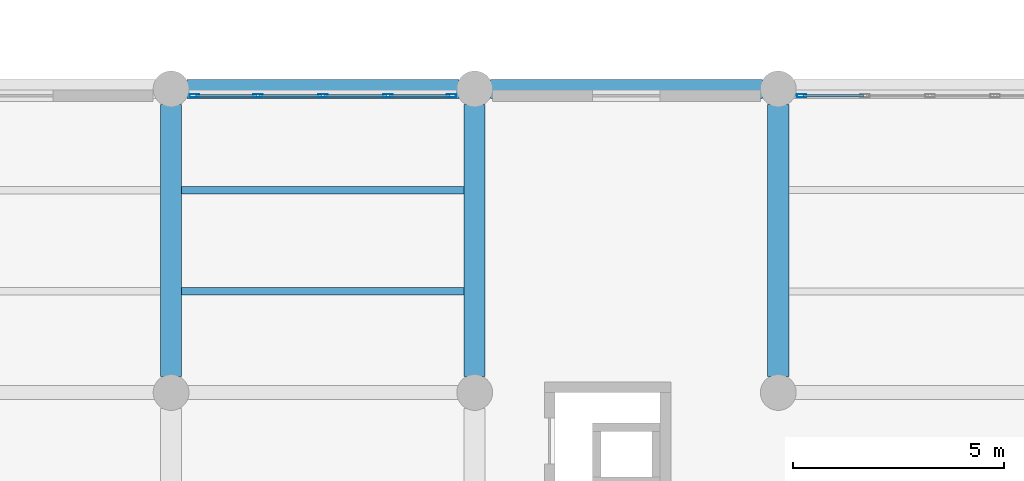
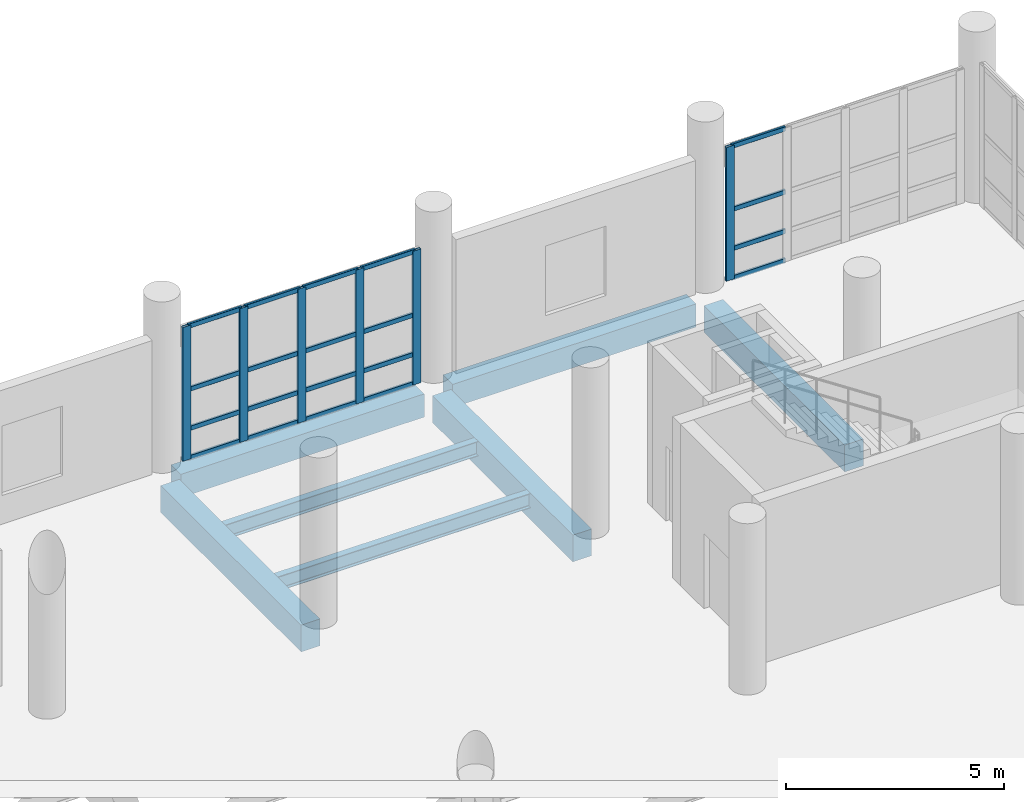
# One storey, part 74 of 127: 26 members, 7 beams, 2 elements without a shape of their own.
"""IFC4 building model written with IfcOpenShell, lengths in metres."""

from ifc_helpers import new_model, si_unit, direction, frame, origin, origin_2d, place, context, subcontext, project, spatial, rectangle, hollow_rectangle, i_section, extrude, material, material_profile, profile_set, type_object, element, aggregate, save


model = new_model("IFC4")

# Units and contexts
model_context = context("Model", 3, precision=1e-05, world=origin(), true_north=direction((0.0, 1.0)))
body_context = subcontext(model_context, "Body", "Model", "MODEL_VIEW")
ifc_project = project(units=[si_unit("LENGTHUNIT", "METRE"), si_unit("AREAUNIT", "SQUARE_METRE"), si_unit("VOLUMEUNIT", "CUBIC_METRE"), si_unit("PLANEANGLEUNIT", "RADIAN"), si_unit("MASSUNIT", "GRAM", prefix="KILO")], contexts=[model_context])

# Site, building, storey
site_placement = place(None, origin())
site = spatial("IfcSite", under=ifc_project, at=site_placement, CompositionType="ELEMENT")
building_placement = place(site_placement, origin())
building = spatial("IfcBuilding", under=site, at=building_placement, Name="Kalmorath City Hall", CompositionType="ELEMENT")
storey_placement = place(building_placement, frame((0.0, 0.0, 5.39990234375)))
storey = spatial("IfcBuildingStorey", under=building, at=storey_placement, Name="L01", CompositionType="ELEMENT", Elevation=5.39990234375)

# Beams
ifc_material_1 = material(Name="Concrete C40/50", Category="concrete")
ifc_material_profile_1 = material_profile(ifc_material_1, rectangle(XDim=0.5, YDim=0.75, at=origin_2d()), Name="RC-BM-500X750")
ifc_profile_set_1 = profile_set([ifc_material_profile_1], Name="Concrete C40/50")
beam_type_1 = type_object("IfcBeamType", Name="Concrete floor beam 500x750", PredefinedType="BEAM", material=ifc_profile_set_1)
for number, where, z_axis, x_axis, name in (
    (1, (144.0, 93.97509765625, -0.698974609375), (0.0, 1.0, 0.0), (-1.0, 0.0, 0.0), "L01 girder CB3 Y21/14-15"),
    (2, (151.199951171875, 93.97509765625, -0.698974609375), (0.0, 1.0, 0.0), (-1.0, 0.0, 0.0), "L01 girder CB3 Y22/14-15"),
    (3, (158.39990234375, 93.97509765625, -0.698974609375), (0.0, 1.0, 0.0), (-1.0, 0.0, 0.0), "L01 girder CB3 Y23/14-15"),
):
    element("IfcBeam", number, at=place(storey_placement, frame(where, z_axis=z_axis, x_axis=x_axis)), inside=storey, type_object=beam_type_1, Name=name, PredefinedType="BEAM", context=body_context, shape_type="SweptSolid", body=[
        extrude(rectangle(XDim=0.5, YDim=0.75, at=origin_2d()), origin(), (0.0, 0.0, 1.0), 6.449951171875),
    ])
ifc_material_2 = material(Name="Concrete C40/50", Category="concrete")
ifc_material_profile_2 = material_profile(ifc_material_2, rectangle(XDim=0.449951171875, YDim=0.64990234375, at=origin_2d()), Name="RC-BM-450X650")
ifc_profile_set_2 = profile_set([ifc_material_profile_2], Name="Concrete C40/50")
beam_type_2 = type_object("IfcBeamType", Name="Concrete spandrel beam 450x650", PredefinedType="SPANDREL", material=ifc_profile_set_2)
for number, where, z_axis, x_axis, name in (
    (4, (144.375, 100.800048828125, -0.64892578125), (1.0, 0.0, 0.0), (0.0, 1.0, 0.0), "L01 girder CB5 X21-22/15"),
    (5, (151.574951171875, 100.800048828125, -0.64892578125), (1.0, 0.0, 0.0), (0.0, 1.0, 0.0), "L01 girder CB5 X22-23/15"),
):
    element("IfcBeam", number, at=place(storey_placement, frame(where, z_axis=z_axis, x_axis=x_axis)), inside=storey, type_object=beam_type_2, Name=name, PredefinedType="SPANDREL", context=body_context, shape_type="SweptSolid", body=[
        extrude(rectangle(XDim=0.449951171875, YDim=0.64990234375, at=origin_2d()), origin(), (0.0, 0.0, 1.0), 6.449951171875),
    ])

# Curtain wall, members
ifc_material_3 = material(Name="Anodised aluminium and laminated glass", Category="aluminium")
curtain_wall_type = type_object("IfcCurtainWallType", Name="Unitised hurricane curtain wall 6170x3751 M1650", PredefinedType="NOTDEFINED", material=ifc_material_3)
curtain_wall_1_placement = place(storey_placement, origin())
curtain_wall_1 = element("IfcCurtainWall", 6, at=curtain_wall_1_placement, inside=storey, type_object=curtain_wall_type, Name="L01 curtain wall CW-62X38M16 #61", PredefinedType="NOTDEFINED")
ifc_material_4 = material(Name="Anodised aluminium framing", Category="aluminium")
ifc_material_profile_3 = material_profile(ifc_material_4, hollow_rectangle(XDim=0.06005859375, YDim=0.1298828125, WallThickness=0.00341796875, InnerFilletRadius=0.00341796875, OuterFilletRadius=0.007080078125, at=origin_2d()), Name="ALU-TRN-130X60X3.5")
ifc_profile_set_3 = profile_set([ifc_material_profile_3], Name="Anodised aluminium framing")
member_type_1 = type_object("IfcMemberType", Name="Curtain-wall courtyard transom 130x60", PredefinedType="USERDEFINED", material=ifc_profile_set_3)
member_1_placement = place(storey_placement, frame((144.590087890625, 100.639892578125, 0.030029296875), z_axis=(1.0, 0.0, 0.0), x_axis=(0.0, 1.0, 0.0)))
member_1 = element("IfcMember", 7, at=member_1_placement, type_object=member_type_1, Name="CW-62X38M16 transom 1.1", ObjectType="TRANSOM", PredefinedType="USERDEFINED", context=body_context, shape_type="SweptSolid", body=[
    extrude(hollow_rectangle(XDim=0.06005859375, YDim=0.1298828125, WallThickness=0.00341796875, InnerFilletRadius=0.00341796875, OuterFilletRadius=0.007080078125, at=origin_2d()), origin(), (0.0, 0.0, 1.0), 1.429931640625),
])
member_2_placement = place(storey_placement, frame((144.590087890625, 100.639892578125, 0.85009765625), z_axis=(1.0, 0.0, 0.0), x_axis=(0.0, 1.0, 0.0)))
member_2 = element("IfcMember", 8, at=member_2_placement, type_object=member_type_1, Name="CW-62X38M16 transom 1.2", ObjectType="TRANSOM", PredefinedType="USERDEFINED", context=body_context, shape_type="SweptSolid", body=[
    extrude(hollow_rectangle(XDim=0.06005859375, YDim=0.1298828125, WallThickness=0.00341796875, InnerFilletRadius=0.00341796875, OuterFilletRadius=0.007080078125, at=origin_2d()), origin(), (0.0, 0.0, 1.0), 1.429931640625),
])
member_3_placement = place(storey_placement, frame((144.590087890625, 100.639892578125, 1.951171875), z_axis=(1.0, 0.0, 0.0), x_axis=(0.0, 1.0, 0.0)))
member_3 = element("IfcMember", 9, at=member_3_placement, type_object=member_type_1, Name="CW-62X38M16 transom 1.3", ObjectType="TRANSOM", PredefinedType="USERDEFINED", context=body_context, shape_type="SweptSolid", body=[
    extrude(hollow_rectangle(XDim=0.06005859375, YDim=0.1298828125, WallThickness=0.00341796875, InnerFilletRadius=0.00341796875, OuterFilletRadius=0.007080078125, at=origin_2d()), origin(), (0.0, 0.0, 1.0), 1.429931640625),
])
member_4_placement = place(storey_placement, frame((144.590087890625, 100.639892578125, 3.72119140625), z_axis=(1.0, 0.0, 0.0), x_axis=(0.0, 1.0, 0.0)))
member_4 = element("IfcMember", 10, at=member_4_placement, type_object=member_type_1, Name="CW-62X38M16 transom 1.4", ObjectType="TRANSOM", PredefinedType="USERDEFINED", context=body_context, shape_type="SweptSolid", body=[
    extrude(hollow_rectangle(XDim=0.06005859375, YDim=0.1298828125, WallThickness=0.00341796875, InnerFilletRadius=0.00341796875, OuterFilletRadius=0.007080078125, at=origin_2d()), origin(), (0.0, 0.0, 1.0), 1.429931640625),
])
member_5_placement = place(storey_placement, frame((146.094970703125, 100.639892578125, 0.030029296875), z_axis=(1.0, 0.0, 0.0), x_axis=(0.0, 1.0, 0.0)))
member_5 = element("IfcMember", 11, at=member_5_placement, type_object=member_type_1, Name="CW-62X38M16 transom 2.1", ObjectType="TRANSOM", PredefinedType="USERDEFINED", context=body_context, shape_type="SweptSolid", body=[
    extrude(hollow_rectangle(XDim=0.06005859375, YDim=0.1298828125, WallThickness=0.00341796875, InnerFilletRadius=0.00341796875, OuterFilletRadius=0.007080078125, at=origin_2d()), origin(), (0.0, 0.0, 1.0), 1.467529296875),
])
member_6_placement = place(storey_placement, frame((146.094970703125, 100.639892578125, 0.85009765625), z_axis=(1.0, 0.0, 0.0), x_axis=(0.0, 1.0, 0.0)))
member_6 = element("IfcMember", 12, at=member_6_placement, type_object=member_type_1, Name="CW-62X38M16 transom 2.2", ObjectType="TRANSOM", PredefinedType="USERDEFINED", context=body_context, shape_type="SweptSolid", body=[
    extrude(hollow_rectangle(XDim=0.06005859375, YDim=0.1298828125, WallThickness=0.00341796875, InnerFilletRadius=0.00341796875, OuterFilletRadius=0.007080078125, at=origin_2d()), origin(), (0.0, 0.0, 1.0), 1.467529296875),
])
member_7_placement = place(storey_placement, frame((146.094970703125, 100.639892578125, 1.951171875), z_axis=(1.0, 0.0, 0.0), x_axis=(0.0, 1.0, 0.0)))
member_7 = element("IfcMember", 13, at=member_7_placement, type_object=member_type_1, Name="CW-62X38M16 transom 2.3", ObjectType="TRANSOM", PredefinedType="USERDEFINED", context=body_context, shape_type="SweptSolid", body=[
    extrude(hollow_rectangle(XDim=0.06005859375, YDim=0.1298828125, WallThickness=0.00341796875, InnerFilletRadius=0.00341796875, OuterFilletRadius=0.007080078125, at=origin_2d()), origin(), (0.0, 0.0, 1.0), 1.467529296875),
])
member_8_placement = place(storey_placement, frame((146.094970703125, 100.639892578125, 3.72119140625), z_axis=(1.0, 0.0, 0.0), x_axis=(0.0, 1.0, 0.0)))
member_8 = element("IfcMember", 14, at=member_8_placement, type_object=member_type_1, Name="CW-62X38M16 transom 2.4", ObjectType="TRANSOM", PredefinedType="USERDEFINED", context=body_context, shape_type="SweptSolid", body=[
    extrude(hollow_rectangle(XDim=0.06005859375, YDim=0.1298828125, WallThickness=0.00341796875, InnerFilletRadius=0.00341796875, OuterFilletRadius=0.007080078125, at=origin_2d()), origin(), (0.0, 0.0, 1.0), 1.467529296875),
])
member_9_placement = place(storey_placement, frame((147.637451171875, 100.639892578125, 0.030029296875), z_axis=(1.0, 0.0, 0.0), x_axis=(0.0, 1.0, 0.0)))
member_9 = element("IfcMember", 15, at=member_9_placement, type_object=member_type_1, Name="CW-62X38M16 transom 3.1", ObjectType="TRANSOM", PredefinedType="USERDEFINED", context=body_context, shape_type="SweptSolid", body=[
    extrude(hollow_rectangle(XDim=0.06005859375, YDim=0.1298828125, WallThickness=0.00341796875, InnerFilletRadius=0.00341796875, OuterFilletRadius=0.007080078125, at=origin_2d()), origin(), (0.0, 0.0, 1.0), 1.467529296875),
])
member_10_placement = place(storey_placement, frame((147.637451171875, 100.639892578125, 0.85009765625), z_axis=(1.0, 0.0, 0.0), x_axis=(0.0, 1.0, 0.0)))
member_10 = element("IfcMember", 16, at=member_10_placement, type_object=member_type_1, Name="CW-62X38M16 transom 3.2", ObjectType="TRANSOM", PredefinedType="USERDEFINED", context=body_context, shape_type="SweptSolid", body=[
    extrude(hollow_rectangle(XDim=0.06005859375, YDim=0.1298828125, WallThickness=0.00341796875, InnerFilletRadius=0.00341796875, OuterFilletRadius=0.007080078125, at=origin_2d()), origin(), (0.0, 0.0, 1.0), 1.467529296875),
])
member_11_placement = place(storey_placement, frame((147.637451171875, 100.639892578125, 1.951171875), z_axis=(1.0, 0.0, 0.0), x_axis=(0.0, 1.0, 0.0)))
member_11 = element("IfcMember", 17, at=member_11_placement, type_object=member_type_1, Name="CW-62X38M16 transom 3.3", ObjectType="TRANSOM", PredefinedType="USERDEFINED", context=body_context, shape_type="SweptSolid", body=[
    extrude(hollow_rectangle(XDim=0.06005859375, YDim=0.1298828125, WallThickness=0.00341796875, InnerFilletRadius=0.00341796875, OuterFilletRadius=0.007080078125, at=origin_2d()), origin(), (0.0, 0.0, 1.0), 1.467529296875),
])
member_12_placement = place(storey_placement, frame((147.637451171875, 100.639892578125, 3.72119140625), z_axis=(1.0, 0.0, 0.0), x_axis=(0.0, 1.0, 0.0)))
member_12 = element("IfcMember", 18, at=member_12_placement, type_object=member_type_1, Name="CW-62X38M16 transom 3.4", ObjectType="TRANSOM", PredefinedType="USERDEFINED", context=body_context, shape_type="SweptSolid", body=[
    extrude(hollow_rectangle(XDim=0.06005859375, YDim=0.1298828125, WallThickness=0.00341796875, InnerFilletRadius=0.00341796875, OuterFilletRadius=0.007080078125, at=origin_2d()), origin(), (0.0, 0.0, 1.0), 1.467529296875),
])
member_13_placement = place(storey_placement, frame((149.179931640625, 100.639892578125, 0.030029296875), z_axis=(1.0, 0.0, 0.0), x_axis=(0.0, 1.0, 0.0)))
member_13 = element("IfcMember", 19, at=member_13_placement, type_object=member_type_1, Name="CW-62X38M16 transom 4.1", ObjectType="TRANSOM", PredefinedType="USERDEFINED", context=body_context, shape_type="SweptSolid", body=[
    extrude(hollow_rectangle(XDim=0.06005859375, YDim=0.1298828125, WallThickness=0.00341796875, InnerFilletRadius=0.00341796875, OuterFilletRadius=0.007080078125, at=origin_2d()), origin(), (0.0, 0.0, 1.0), 1.43017578125),
])
member_14_placement = place(storey_placement, frame((149.179931640625, 100.639892578125, 0.85009765625), z_axis=(1.0, 0.0, 0.0), x_axis=(0.0, 1.0, 0.0)))
member_14 = element("IfcMember", 20, at=member_14_placement, type_object=member_type_1, Name="CW-62X38M16 transom 4.2", ObjectType="TRANSOM", PredefinedType="USERDEFINED", context=body_context, shape_type="SweptSolid", body=[
    extrude(hollow_rectangle(XDim=0.06005859375, YDim=0.1298828125, WallThickness=0.00341796875, InnerFilletRadius=0.00341796875, OuterFilletRadius=0.007080078125, at=origin_2d()), origin(), (0.0, 0.0, 1.0), 1.43017578125),
])
member_15_placement = place(storey_placement, frame((149.179931640625, 100.639892578125, 1.951171875), z_axis=(1.0, 0.0, 0.0), x_axis=(0.0, 1.0, 0.0)))
member_15 = element("IfcMember", 21, at=member_15_placement, type_object=member_type_1, Name="CW-62X38M16 transom 4.3", ObjectType="TRANSOM", PredefinedType="USERDEFINED", context=body_context, shape_type="SweptSolid", body=[
    extrude(hollow_rectangle(XDim=0.06005859375, YDim=0.1298828125, WallThickness=0.00341796875, InnerFilletRadius=0.00341796875, OuterFilletRadius=0.007080078125, at=origin_2d()), origin(), (0.0, 0.0, 1.0), 1.43017578125),
])
member_16_placement = place(storey_placement, frame((149.179931640625, 100.639892578125, 3.72119140625), z_axis=(1.0, 0.0, 0.0), x_axis=(0.0, 1.0, 0.0)))
member_16 = element("IfcMember", 22, at=member_16_placement, type_object=member_type_1, Name="CW-62X38M16 transom 4.4", ObjectType="TRANSOM", PredefinedType="USERDEFINED", context=body_context, shape_type="SweptSolid", body=[
    extrude(hollow_rectangle(XDim=0.06005859375, YDim=0.1298828125, WallThickness=0.00341796875, InnerFilletRadius=0.00341796875, OuterFilletRadius=0.007080078125, at=origin_2d()), origin(), (0.0, 0.0, 1.0), 1.43017578125),
])

curtain_wall_2_placement = place(storey_placement, origin())
curtain_wall_2 = element("IfcCurtainWall", 23, at=curtain_wall_2_placement, inside=storey, type_object=curtain_wall_type, Name="L01 curtain wall CW-62X38M16 #62", PredefinedType="NOTDEFINED")
member_17_placement = place(storey_placement, frame((158.989990234375, 100.639892578125, 0.030029296875), z_axis=(1.0, 0.0, 0.0), x_axis=(0.0, 1.0, 0.0)))
member_17 = element("IfcMember", 24, at=member_17_placement, type_object=member_type_1, Name="CW-62X38M16 transom 1.1", ObjectType="TRANSOM", PredefinedType="USERDEFINED", context=body_context, shape_type="SweptSolid", body=[
    extrude(hollow_rectangle(XDim=0.06005859375, YDim=0.1298828125, WallThickness=0.00341796875, InnerFilletRadius=0.00341796875, OuterFilletRadius=0.007080078125, at=origin_2d()), origin(), (0.0, 0.0, 1.0), 1.429931640625),
])
member_18_placement = place(storey_placement, frame((158.989990234375, 100.639892578125, 0.85009765625), z_axis=(1.0, 0.0, 0.0), x_axis=(0.0, 1.0, 0.0)))
member_18 = element("IfcMember", 25, at=member_18_placement, type_object=member_type_1, Name="CW-62X38M16 transom 1.2", ObjectType="TRANSOM", PredefinedType="USERDEFINED", context=body_context, shape_type="SweptSolid", body=[
    extrude(hollow_rectangle(XDim=0.06005859375, YDim=0.1298828125, WallThickness=0.00341796875, InnerFilletRadius=0.00341796875, OuterFilletRadius=0.007080078125, at=origin_2d()), origin(), (0.0, 0.0, 1.0), 1.429931640625),
])
member_19_placement = place(storey_placement, frame((158.989990234375, 100.639892578125, 1.951171875), z_axis=(1.0, 0.0, 0.0), x_axis=(0.0, 1.0, 0.0)))
member_19 = element("IfcMember", 26, at=member_19_placement, type_object=member_type_1, Name="CW-62X38M16 transom 1.3", ObjectType="TRANSOM", PredefinedType="USERDEFINED", context=body_context, shape_type="SweptSolid", body=[
    extrude(hollow_rectangle(XDim=0.06005859375, YDim=0.1298828125, WallThickness=0.00341796875, InnerFilletRadius=0.00341796875, OuterFilletRadius=0.007080078125, at=origin_2d()), origin(), (0.0, 0.0, 1.0), 1.429931640625),
])
member_20_placement = place(storey_placement, frame((158.989990234375, 100.639892578125, 3.72119140625), z_axis=(1.0, 0.0, 0.0), x_axis=(0.0, 1.0, 0.0)))
member_20 = element("IfcMember", 27, at=member_20_placement, type_object=member_type_1, Name="CW-62X38M16 transom 1.4", ObjectType="TRANSOM", PredefinedType="USERDEFINED", context=body_context, shape_type="SweptSolid", body=[
    extrude(hollow_rectangle(XDim=0.06005859375, YDim=0.1298828125, WallThickness=0.00341796875, InnerFilletRadius=0.00341796875, OuterFilletRadius=0.007080078125, at=origin_2d()), origin(), (0.0, 0.0, 1.0), 1.429931640625),
])

# Member
ifc_material_5 = material(Name="Anodised aluminium framing", Category="aluminium")
ifc_material_profile_4 = material_profile(ifc_material_5, hollow_rectangle(XDim=0.074951171875, YDim=0.219970703125, WallThickness=0.00390625, InnerFilletRadius=0.00390625, OuterFilletRadius=0.008056640625, at=origin_2d()), Name="ALU-MUL-220X75X4")
ifc_profile_set_4 = profile_set([ifc_material_profile_4], Name="Anodised aluminium framing")
member_type_2 = type_object("IfcMemberType", Name="Curtain-wall primary mullion 220x75", PredefinedType="MULLION", material=ifc_profile_set_4)
member_21_placement = place(storey_placement, frame((144.552490234375, 100.639892578125, 0.0), z_axis=(0.0, 0.0, 1.0), x_axis=(0.0, 1.0, 0.0)))
member_21 = element("IfcMember", 28, at=member_21_placement, type_object=member_type_2, Name="CW-62X38M16 mullion 1", PredefinedType="MULLION", context=body_context, shape_type="SweptSolid", body=[
    extrude(hollow_rectangle(XDim=0.074951171875, YDim=0.219970703125, WallThickness=0.00390625, InnerFilletRadius=0.00390625, OuterFilletRadius=0.008056640625, at=origin_2d()), origin(), (0.0, 0.0, 1.0), 3.7509765625),
])

member_22_placement = place(storey_placement, frame((146.0576171875, 100.639892578125, 0.0), z_axis=(0.0, 0.0, 1.0), x_axis=(0.0, 1.0, 0.0)))
member_22 = element("IfcMember", 29, at=member_22_placement, type_object=member_type_2, Name="CW-62X38M16 mullion 2", PredefinedType="MULLION", context=body_context, shape_type="SweptSolid", body=[
    extrude(hollow_rectangle(XDim=0.074951171875, YDim=0.219970703125, WallThickness=0.00390625, InnerFilletRadius=0.00390625, OuterFilletRadius=0.008056640625, at=origin_2d()), origin(), (0.0, 0.0, 1.0), 3.7509765625),
])

member_23_placement = place(storey_placement, frame((147.60009765625, 100.639892578125, 0.0), z_axis=(0.0, 0.0, 1.0), x_axis=(0.0, 1.0, 0.0)))
member_23 = element("IfcMember", 30, at=member_23_placement, type_object=member_type_2, Name="CW-62X38M16 mullion 3", PredefinedType="MULLION", context=body_context, shape_type="SweptSolid", body=[
    extrude(hollow_rectangle(XDim=0.074951171875, YDim=0.219970703125, WallThickness=0.00390625, InnerFilletRadius=0.00390625, OuterFilletRadius=0.008056640625, at=origin_2d()), origin(), (0.0, 0.0, 1.0), 3.7509765625),
])

member_24_placement = place(storey_placement, frame((149.142578125, 100.639892578125, 0.0), z_axis=(0.0, 0.0, 1.0), x_axis=(0.0, 1.0, 0.0)))
member_24 = element("IfcMember", 31, at=member_24_placement, type_object=member_type_2, Name="CW-62X38M16 mullion 4", PredefinedType="MULLION", context=body_context, shape_type="SweptSolid", body=[
    extrude(hollow_rectangle(XDim=0.074951171875, YDim=0.219970703125, WallThickness=0.00390625, InnerFilletRadius=0.00390625, OuterFilletRadius=0.008056640625, at=origin_2d()), origin(), (0.0, 0.0, 1.0), 3.7509765625),
])

member_25_placement = place(storey_placement, frame((150.6474609375, 100.639892578125, 0.0), z_axis=(0.0, 0.0, 1.0), x_axis=(0.0, 1.0, 0.0)))
member_25 = element("IfcMember", 32, at=member_25_placement, type_object=member_type_2, Name="CW-62X38M16 mullion 5", PredefinedType="MULLION", context=body_context, shape_type="SweptSolid", body=[
    extrude(hollow_rectangle(XDim=0.074951171875, YDim=0.219970703125, WallThickness=0.00390625, InnerFilletRadius=0.00390625, OuterFilletRadius=0.008056640625, at=origin_2d()), origin(), (0.0, 0.0, 1.0), 3.7509765625),
])

aggregate(curtain_wall_1, [member_21, member_22, member_23, member_24, member_25, member_1, member_2, member_3, member_4, member_5, member_6, member_7, member_8, member_9, member_10, member_11, member_12, member_13, member_14, member_15, member_16])

member_26_placement = place(storey_placement, frame((158.952392578125, 100.639892578125, 0.0), z_axis=(0.0, 0.0, 1.0), x_axis=(0.0, 1.0, 0.0)))
member_26 = element("IfcMember", 33, at=member_26_placement, type_object=member_type_2, Name="CW-62X38M16 mullion 1", PredefinedType="MULLION", context=body_context, shape_type="SweptSolid", body=[
    extrude(hollow_rectangle(XDim=0.074951171875, YDim=0.219970703125, WallThickness=0.00390625, InnerFilletRadius=0.00390625, OuterFilletRadius=0.008056640625, at=origin_2d()), origin(), (0.0, 0.0, 1.0), 3.7509765625),
])

aggregate(curtain_wall_2, [member_26, member_17, member_18, member_19, member_20])

# Beams
ifc_material_6 = material(Name="Steel ASTM A992 Grade 50", Category="steel")
ifc_material_profile_5 = material_profile(ifc_material_6, i_section(OverallWidth=0.178955078125, OverallDepth=0.409912109375, WebThickness=0.0087890625, FlangeThickness=0.014404296875, FilletRadius=0.012939453125, at=origin_2d()), Name="W16X45")
ifc_profile_set_5 = profile_set([ifc_material_profile_5], Name="Steel ASTM A992 Grade 50")
beam_type_3 = type_object("IfcBeamType", Name="Steel composite joist W16X45", PredefinedType="JOIST", material=ifc_profile_set_5)
for number, where, z_axis, x_axis, name in (
    (34, (144.25, 96.0, -0.52880859375), (1.0, 0.0, 0.0), (0.0, 1.0, 0.0), "L01 joist SJ6 21.14.1"),
    (35, (144.25, 98.39990234375, -0.52880859375), (1.0, 0.0, 0.0), (0.0, 1.0, 0.0), "L01 joist SJ6 21.14.2"),
):
    element("IfcBeam", number, at=place(storey_placement, frame(where, z_axis=z_axis, x_axis=x_axis)), inside=storey, type_object=beam_type_3, Name=name, PredefinedType="JOIST", context=body_context, shape_type="SweptSolid", body=[
        extrude(i_section(OverallWidth=0.178955078125, OverallDepth=0.409912109375, WebThickness=0.0087890625, FlangeThickness=0.014404296875, FilletRadius=0.012939453125, at=origin_2d()), origin(), (0.0, 0.0, 1.0), 6.699951171875),
    ])

save(model, "model.ifc")
